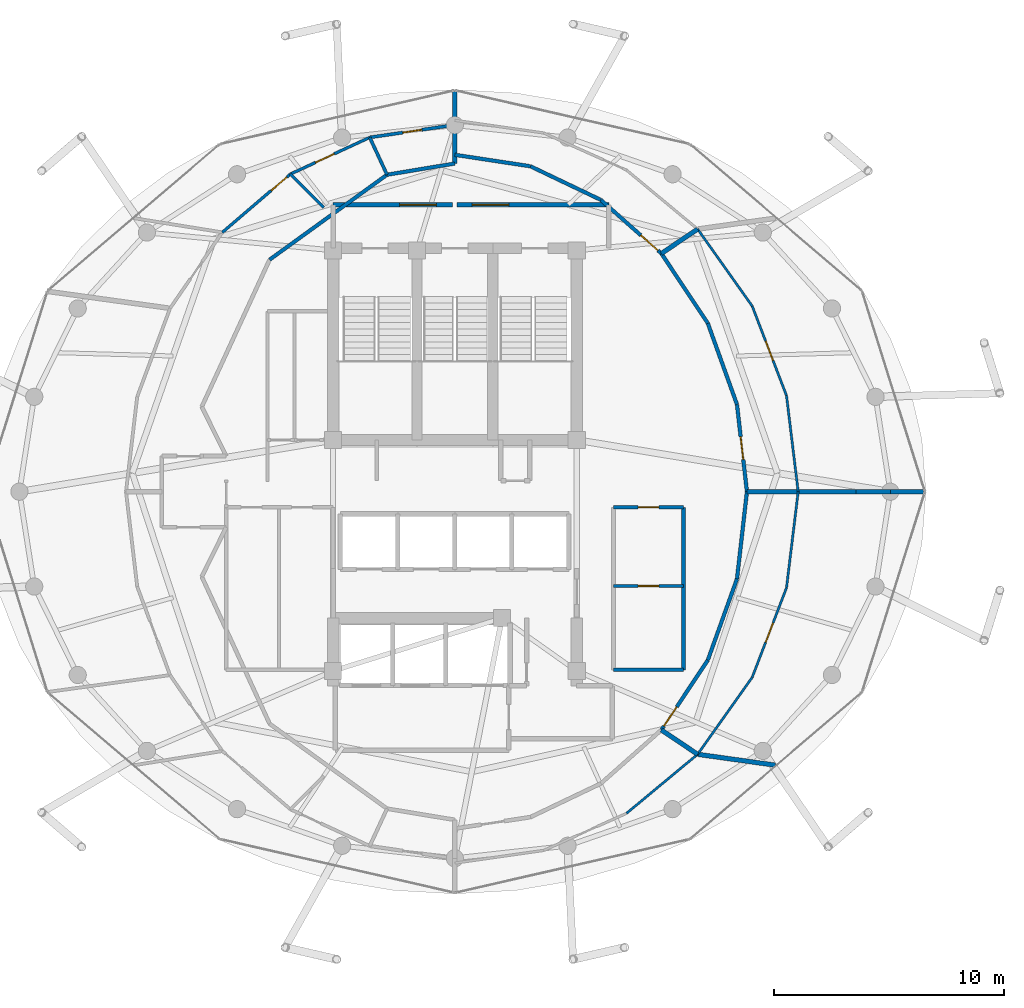
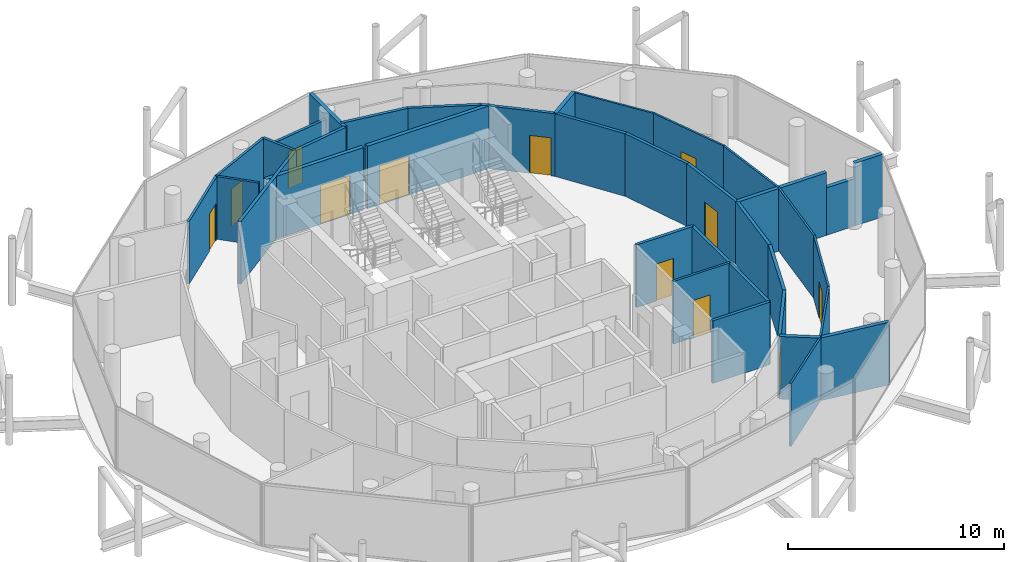
# One storey, part 22 of 24: 37 walls, 12 doors, 12 openings.
"""IFC4 building model written with IfcOpenShell, lengths in metres."""

from ifc_helpers import new_model, si_unit, direction, frame, frame_2d, origin, place, context, subcontext, project, spatial, rectangle, extrude, material, layer, layer_set, type_object, element, fill, save


model = new_model("IFC4")

# Units and contexts
model_context = context("Model", 3, precision=1e-05, world=origin(), true_north=direction((0.0, 1.0)))
body_context = subcontext(model_context, "Body", "Model", "MODEL_VIEW")
ifc_project = project(units=[si_unit("LENGTHUNIT", "METRE"), si_unit("AREAUNIT", "SQUARE_METRE"), si_unit("VOLUMEUNIT", "CUBIC_METRE"), si_unit("PLANEANGLEUNIT", "RADIAN"), si_unit("MASSUNIT", "GRAM", prefix="KILO")], contexts=[model_context])

# Site, building, storey
site_placement = place(None, origin())
site = spatial("IfcSite", under=ifc_project, at=site_placement, CompositionType="ELEMENT")
building_placement = place(site_placement, origin())
building = spatial("IfcBuilding", under=site, at=building_placement, Name="Nuhasar Tower", CompositionType="ELEMENT")
storey_placement = place(building_placement, frame((0.0, 0.0, 274.60009765625)))
storey = spatial("IfcBuildingStorey", under=building, at=storey_placement, Name="L68", CompositionType="ELEMENT", Elevation=274.60009765625)

# Walls
ifc_material_1 = material(Name="Gypsum Board", Category="gypsum")
ifc_layer_1 = layer(ifc_material_1, 0.159912109375)
ifc_layer_set_1 = layer_set([ifc_layer_1], Name="Gypsum Board")
wall_type_1 = type_object("IfcWallType", Name="WL-CORR-160", PredefinedType="PARTITIONING", material=ifc_layer_set_1)
wall_1_placement = place(storey_placement, frame((45.89990234375, 19.050048828125, 0.0), z_axis=(0.0, 0.0, 1.0), x_axis=(1.0, 0.0, 0.0)))
element("IfcWall", 1, at=wall_1_placement, inside=storey, type_object=wall_type_1, Name="L68 Interior Partition RECL-B2-S", PredefinedType="PARTITIONING", context=body_context, shape_type="SweptSolid", body=[
    extrude(rectangle(XDim=3.050048828125, YDim=0.159912109375, at=frame_2d((1.52490234375, 0.0))), origin(), (0.0, 0.0, 1.0), 3.539794921875),
])
wall_2_placement = place(storey_placement, frame((48.949951171875, 19.050048828125, 0.0), z_axis=(0.0, 0.0, 1.0), x_axis=(0.0, 1.0, 0.0)))
element("IfcWall", 2, at=wall_2_placement, inside=storey, type_object=wall_type_1, Name="L68 Interior Partition RECL-B2-E", PredefinedType="PARTITIONING", context=body_context, shape_type="SweptSolid", body=[
    extrude(rectangle(XDim=7.070068359375, YDim=0.159912109375, at=frame_2d((3.53515625, 0.0))), origin(), (0.0, 0.0, 1.0), 3.539794921875),
])

# Wall, opening, door
wall_3_placement = place(storey_placement, frame((48.949951171875, 26.1201171875, 0.0), z_axis=(0.0, 0.0, 1.0), x_axis=(-1.0, 0.0, 0.0)))
wall_3 = element("IfcWall", 3, at=wall_3_placement, inside=storey, type_object=wall_type_1, Name="L68 Interior Partition RECL-B2-N", PredefinedType="PARTITIONING", context=body_context, shape_type="SweptSolid", body=[
    extrude(rectangle(XDim=3.050048828125, YDim=0.159912109375, at=frame_2d((1.52490234375, 0.0))), origin(), (0.0, 0.0, 1.0), 3.539794921875),
])
opening_1_placement = place(wall_3_placement, frame((1.074951171875, 0.0, 0.0)))
opening_1 = element("IfcOpeningElement", 4, at=opening_1_placement, cuts=wall_3, Name="Opening DR-01", PredefinedType="OPENING", context=body_context, shape_type="SweptSolid", body=[
    extrude(rectangle(XDim=0.89990234375, YDim=2.10009765625, at=frame_2d((0.449951171875, 1.050048828125))), frame((0.0, 0.08984375, 0.0), z_axis=(0.0, -1.0, 0.0), x_axis=(1.0, 0.0, 0.0)), (0.0, 0.0, 1.0), 0.179931640625),
])
ifc_material_2 = material(Name="Timber Oak", Category="wood")
door_type_1 = type_object("IfcDoorType", Name="DR-ROOM-900", OperationType="NOTDEFINED", PredefinedType="DOOR", material=ifc_material_2)
door_1_placement = place(opening_1_placement, origin())
door_1 = element("IfcDoor", 5, at=door_1_placement, inside=storey, type_object=door_type_1, Name="L68 Utility Room Door", OperationType="SINGLE_SWING_LEFT", OverallHeight=2.10009765625, OverallWidth=0.89990234375, PredefinedType="DOOR", context=body_context, shape_type="SweptSolid", body=[
    extrude(rectangle(XDim=0.89990234375, YDim=2.10009765625, at=frame_2d((0.449951171875, 1.050048828125))), frame((0.0, 0.02490234375, 0.0), z_axis=(0.0, -1.0, 0.0), x_axis=(1.0, 0.0, 0.0)), (0.0, 0.0, 1.0), 0.050048828125),
])
fill(opening_1, door_1)

wall_4_placement = place(storey_placement, frame((50.007080078125, 19.469970703125, 0.0), z_axis=(0.0, 0.0, 1.0), x_axis=(-0.553958357067, -0.832544376376, 0.0)))
wall_4 = element("IfcWall", 6, at=wall_4_placement, inside=storey, type_object=wall_type_1, Name="L68 Interior Partition CORR-42", PredefinedType="PARTITIONING", context=body_context, shape_type="SweptSolid", body=[
    extrude(rectangle(XDim=3.646484375, YDim=0.159912109375, at=frame_2d((1.8232421875, 0.0))), origin(), (0.0, 0.0, 1.0), 3.539794921875),
])
opening_2_placement = place(wall_4_placement, frame((2.447021484375, 0.0, 0.0)))
opening_2 = element("IfcOpeningElement", 7, at=opening_2_placement, cuts=wall_4, Name="Opening DU-02", PredefinedType="OPENING", context=body_context, shape_type="SweptSolid", body=[
    extrude(rectangle(XDim=1.0, YDim=2.14990234375, at=frame_2d((0.5, 1.074951171875))), frame((0.0, 0.08984375, 0.0), z_axis=(0.0, -1.0, 0.0), x_axis=(1.0, 0.0, 0.0)), (0.0, 0.0, 1.0), 0.179931640625),
])
door_type_2 = type_object("IfcDoorType", Name="DR-FLAT-FD60-1000", OperationType="NOTDEFINED", PredefinedType="DOOR", material=ifc_material_2)
door_2_placement = place(opening_2_placement, origin())
door_2 = element("IfcDoor", 8, at=door_2_placement, inside=storey, type_object=door_type_2, Name="L68 Family Secretariat Office 2 Entrance Door", OperationType="SINGLE_SWING_RIGHT", OverallHeight=2.14990234375, OverallWidth=1.0, PredefinedType="DOOR", context=body_context, shape_type="SweptSolid", body=[
    extrude(rectangle(XDim=1.0, YDim=2.14990234375, at=frame_2d((0.5, 1.074951171875))), frame((0.0, 0.02490234375, 0.0), z_axis=(0.0, -1.0, 0.0), x_axis=(1.0, 0.0, 0.0)), (0.0, 0.0, 1.0), 0.050048828125),
])
fill(opening_2, door_2)

# Walls
wall_5_placement = place(storey_placement, frame((50.007080078125, 19.469970703125, 0.0), z_axis=(0.0, 0.0, 1.0), x_axis=(0.338015292257, 0.941140617655, 0.0)))
element("IfcWall", 9, at=wall_5_placement, inside=storey, type_object=wall_type_1, Name="L68 Interior Partition CORR-44", PredefinedType="PARTITIONING", context=body_context, shape_type="SweptSolid", body=[
    extrude(rectangle(XDim=3.75732421875, YDim=0.159912109375, at=frame_2d((1.878662109375, 0.0))), origin(), (0.0, 0.0, 1.0), 3.539794921875),
])
wall_6_placement = place(storey_placement, frame((51.277099609375, 23.006103515625, 0.0), z_axis=(0.0, 0.0, 1.0), x_axis=(0.113357256171, 0.993554292665, 0.0)))
element("IfcWall", 10, at=wall_6_placement, inside=storey, type_object=wall_type_1, Name="L68 Interior Partition CORR-46", PredefinedType="PARTITIONING", context=body_context, shape_type="SweptSolid", body=[
    extrude(rectangle(XDim=3.818603515625, YDim=0.159912109375, at=frame_2d((1.9091796875, 0.0))), origin(), (0.0, 0.0, 1.0), 3.539794921875),
])

# Wall, opening, door
wall_7_placement = place(storey_placement, frame((51.277099609375, 30.593994140625, 0.0), z_axis=(0.0, 0.0, 1.0), x_axis=(0.113357256171, -0.993554292665, 0.0)))
wall_7 = element("IfcWall", 11, at=wall_7_placement, inside=storey, type_object=wall_type_1, Name="L68 Interior Partition CORR-00", PredefinedType="PARTITIONING", context=body_context, shape_type="SweptSolid", body=[
    extrude(rectangle(XDim=3.818603515625, YDim=0.159912109375, at=frame_2d((1.9091796875, 0.0))), origin(), (0.0, 0.0, 1.0), 3.539794921875),
])
opening_3_placement = place(wall_7_placement, frame((1.408935546875, 0.0, 0.0)))
opening_3 = element("IfcOpeningElement", 12, at=opening_3_placement, cuts=wall_7, Name="Opening DU-02", PredefinedType="OPENING", context=body_context, shape_type="SweptSolid", body=[
    extrude(rectangle(XDim=1.0, YDim=2.14990234375, at=frame_2d((0.5, 1.074951171875))), frame((0.0, 0.08984375, 0.0), z_axis=(0.0, -1.0, 0.0), x_axis=(1.0, 0.0, 0.0)), (0.0, 0.0, 1.0), 0.179931640625),
])
door_3_placement = place(opening_3_placement, origin())
door_3 = element("IfcDoor", 13, at=door_3_placement, inside=storey, type_object=door_type_2, Name="L68 Investment Desk Office 3 Entrance Door", OperationType="SINGLE_SWING_RIGHT", OverallHeight=2.14990234375, OverallWidth=1.0, PredefinedType="DOOR", context=body_context, shape_type="SweptSolid", body=[
    extrude(rectangle(XDim=1.0, YDim=2.14990234375, at=frame_2d((0.5, 1.074951171875))), frame((0.0, 0.02490234375, 0.0), z_axis=(0.0, -1.0, 0.0), x_axis=(1.0, 0.0, 0.0)), (0.0, 0.0, 1.0), 0.050048828125),
])
fill(opening_3, door_3)

# Walls
wall_8_placement = place(storey_placement, frame((51.277099609375, 30.593994140625, 0.0), z_axis=(0.0, 0.0, 1.0), x_axis=(-0.338035964219, 0.941133192962, 0.0)))
element("IfcWall", 14, at=wall_8_placement, inside=storey, type_object=wall_type_1, Name="L68 Interior Partition CORR-02", PredefinedType="PARTITIONING", context=body_context, shape_type="SweptSolid", body=[
    extrude(rectangle(XDim=3.757080078125, YDim=0.159912109375, at=frame_2d((1.87841796875, 0.0))), origin(), (0.0, 0.0, 1.0), 3.539794921875),
])
wall_9_placement = place(storey_placement, frame((50.007080078125, 34.1298828125, 0.0), z_axis=(0.0, 0.0, 1.0), x_axis=(-0.553927480624, 0.832564920117, 0.0)))
element("IfcWall", 15, at=wall_9_placement, inside=storey, type_object=wall_type_1, Name="L68 Interior Partition CORR-04", PredefinedType="PARTITIONING", context=body_context, shape_type="SweptSolid", body=[
    extrude(rectangle(XDim=3.646728515625, YDim=0.159912109375, at=frame_2d((1.8232421875, 0.0))), origin(), (0.0, 0.0, 1.0), 3.539794921875),
])

# Wall, opening, door
wall_10_placement = place(storey_placement, frame((45.35498046875, 39.49609375, 0.0), z_axis=(0.0, 0.0, 1.0), x_axis=(0.748756574311, -0.662845074226, 0.0)))
wall_10 = element("IfcWall", 16, at=wall_10_placement, inside=storey, type_object=wall_type_1, Name="L68 Interior Partition CORR-06", PredefinedType="PARTITIONING", context=body_context, shape_type="SweptSolid", body=[
    extrude(rectangle(XDim=3.515380859375, YDim=0.159912109375, at=frame_2d((1.7578125, 0.0))), origin(), (0.0, 0.0, 1.0), 3.539794921875),
])
opening_4_placement = place(wall_10_placement, frame((2.31494140625, 0.0, 0.0)))
opening_4 = element("IfcOpeningElement", 17, at=opening_4_placement, cuts=wall_10, Name="Opening DU-02", PredefinedType="OPENING", context=body_context, shape_type="SweptSolid", body=[
    extrude(rectangle(XDim=1.0, YDim=2.14990234375, at=frame_2d((0.5, 1.074951171875))), frame((0.0, 0.08984375, 0.0), z_axis=(0.0, -1.0, 0.0), x_axis=(1.0, 0.0, 0.0)), (0.0, 0.0, 1.0), 0.179931640625),
])
door_4_placement = place(opening_4_placement, origin())
door_4 = element("IfcDoor", 18, at=door_4_placement, inside=storey, type_object=door_type_2, Name="L68 Diplomatic Briefing Room Entrance Door", OperationType="SINGLE_SWING_RIGHT", OverallHeight=2.14990234375, OverallWidth=1.0, PredefinedType="DOOR", context=body_context, shape_type="SweptSolid", body=[
    extrude(rectangle(XDim=1.0, YDim=2.14990234375, at=frame_2d((0.5, 1.074951171875))), frame((0.0, 0.02490234375, 0.0), z_axis=(0.0, -1.0, 0.0), x_axis=(1.0, 0.0, 0.0)), (0.0, 0.0, 1.0), 0.050048828125),
])
fill(opening_4, door_4)

# Walls
wall_11_placement = place(storey_placement, frame((45.35498046875, 39.49609375, 0.0), z_axis=(0.0, 0.0, 1.0), x_axis=(-0.902360348414, 0.430982368097, 0.0)))
element("IfcWall", 19, at=wall_11_placement, inside=storey, type_object=wall_type_1, Name="L68 Interior Partition CORR-08", PredefinedType="PARTITIONING", context=body_context, shape_type="SweptSolid", body=[
    extrude(rectangle(XDim=3.396484375, YDim=0.159912109375, at=frame_2d((1.6982421875, 0.0))), origin(), (0.0, 0.0, 1.0), 3.539794921875),
])
wall_12_placement = place(storey_placement, frame((42.2900390625, 40.9599609375, 0.0), z_axis=(0.0, 0.0, 1.0), x_axis=(-0.988648231668, 0.150248707217, 0.0)))
element("IfcWall", 20, at=wall_12_placement, inside=storey, type_object=wall_type_1, Name="L68 Interior Partition CORR-10", PredefinedType="PARTITIONING", context=body_context, shape_type="SweptSolid", body=[
    extrude(rectangle(XDim=3.327880859375, YDim=0.159912109375, at=frame_2d((1.6640625, 0.0))), origin(), (0.0, 0.0, 1.0), 3.539794921875),
])
wall_13_placement = place(storey_placement, frame((39.0, 41.080078125, 0.0), z_axis=(0.0, 0.0, 1.0), x_axis=(-0.986650832406, -0.162850038111, 0.0)))
element("IfcWall", 21, at=wall_13_placement, inside=storey, type_object=wall_type_1, Name="L68 Interior Partition UWEST-CORE-N1-12", PredefinedType="PARTITIONING", context=body_context, shape_type="SweptSolid", body=[
    extrude(rectangle(XDim=2.990966796875, YDim=0.159912109375, at=frame_2d((1.49560546875, 0.0))), origin(), (0.0, 0.0, 1.0), 3.539794921875),
])
wall_14_placement = place(storey_placement, frame((36.049072265625, 40.593017578125, 0.0), z_axis=(0.0, 0.0, 1.0), x_axis=(-0.810271736342, -0.58605436035, 0.0)))
element("IfcWall", 22, at=wall_14_placement, inside=storey, type_object=wall_type_1, Name="L68 Interior Partition UWEST-CORE-N2-14", PredefinedType="PARTITIONING", context=body_context, shape_type="SweptSolid", body=[
    extrude(rectangle(XDim=6.306640625, YDim=0.159912109375, at=frame_2d((3.1533203125, 0.0))), origin(), (0.0, 0.0, 1.0), 3.539794921875),
])

# Wall, opening, door
ifc_material_3 = material(Name="Concrete C45/55", Category="concrete")
ifc_layer_2 = layer(ifc_material_3, 0.199951171875)
ifc_layer_set_2 = layer_set([ifc_layer_2], Name="Concrete C45/55")
wall_type_2 = type_object("IfcWallType", Name="WL-LOBBY-200", PredefinedType="SOLIDWALL", material=ifc_layer_set_2)
wall_15_placement = place(storey_placement, frame((38.89990234375, 39.280029296875, 0.0), z_axis=(0.0, 0.0, 1.0), x_axis=(-1.0, 0.0, 0.0)))
wall_15 = element("IfcWall", 23, at=wall_15_placement, inside=storey, type_object=wall_type_2, Name="L68 Interior Partition NSL-N1", PredefinedType="SOLIDWALL", context=body_context, shape_type="SweptSolid", body=[
    extrude(rectangle(XDim=5.199951171875, YDim=0.199951171875, at=frame_2d((2.60009765625, 0.0))), origin(), (0.0, 0.0, 1.0), 3.539794921875),
])
opening_5_placement = place(wall_15_placement, frame((0.7080078125, 0.0, 0.0)))
opening_5 = element("IfcOpeningElement", 24, at=opening_5_placement, cuts=wall_15, Name="Opening DC-01", PredefinedType="OPENING", context=body_context, shape_type="SweptSolid", body=[
    extrude(rectangle(XDim=1.60009765625, YDim=2.199951171875, at=frame_2d((0.800048828125, 1.10009765625))), frame((0.0, 0.10986328125, 0.0), z_axis=(0.0, -1.0, 0.0), x_axis=(1.0, 0.0, 0.0)), (0.0, 0.0, 1.0), 0.219970703125),
])
ifc_material_4 = material(Name="Steel S355", Category="steel")
door_type_3 = type_object("IfcDoorType", Name="DR-CORR-FD60-1600", OperationType="DOUBLE_DOOR_SINGLE_SWING", PredefinedType="DOOR", material=ifc_material_4)
door_5_placement = place(opening_5_placement, origin())
door_5 = element("IfcDoor", 25, at=door_5_placement, inside=storey, type_object=door_type_3, Name="L68 North Stair Lobby West Door", OperationType="DOUBLE_DOOR_SINGLE_SWING", OverallHeight=2.199951171875, OverallWidth=1.60009765625, PredefinedType="DOOR", context=body_context, shape_type="SweptSolid", body=[
    extrude(rectangle(XDim=1.60009765625, YDim=2.199951171875, at=frame_2d((0.800048828125, 1.10009765625))), frame((0.0, 0.02490234375, 0.0), z_axis=(0.0, -1.0, 0.0), x_axis=(1.0, 0.0, 0.0)), (0.0, 0.0, 1.0), 0.050048828125),
])
fill(opening_5, door_5)

wall_16_placement = place(storey_placement, frame((45.699951171875, 39.280029296875, 0.0), z_axis=(0.0, 0.0, 1.0), x_axis=(-1.0, 0.0, 0.0)))
wall_16 = element("IfcWall", 26, at=wall_16_placement, inside=storey, type_object=wall_type_2, Name="L68 Interior Partition NSL-N2", PredefinedType="SOLIDWALL", context=body_context, shape_type="SweptSolid", body=[
    extrude(rectangle(XDim=6.599853515625, YDim=0.199951171875, at=frame_2d((3.2998046875, 0.0))), origin(), (0.0, 0.0, 1.0), 3.539794921875),
])
opening_6_placement = place(wall_16_placement, frame((4.35009765625, 0.0, 0.0)))
opening_6 = element("IfcOpeningElement", 27, at=opening_6_placement, cuts=wall_16, Name="Opening DC-01", PredefinedType="OPENING", context=body_context, shape_type="SweptSolid", body=[
    extrude(rectangle(XDim=1.60009765625, YDim=2.199951171875, at=frame_2d((0.800048828125, 1.10009765625))), frame((0.0, 0.10986328125, 0.0), z_axis=(0.0, -1.0, 0.0), x_axis=(1.0, 0.0, 0.0)), (0.0, 0.0, 1.0), 0.219970703125),
])
door_6_placement = place(opening_6_placement, origin())
door_6 = element("IfcDoor", 28, at=door_6_placement, inside=storey, type_object=door_type_3, Name="L68 North Stair Lobby East Door", OperationType="DOUBLE_DOOR_SINGLE_SWING", OverallHeight=2.199951171875, OverallWidth=1.60009765625, PredefinedType="DOOR", context=body_context, shape_type="SweptSolid", body=[
    extrude(rectangle(XDim=1.60009765625, YDim=2.199951171875, at=frame_2d((0.800048828125, 1.10009765625))), frame((0.0, 0.02490234375, 0.0), z_axis=(0.0, -1.0, 0.0), x_axis=(1.0, 0.0, 0.0)), (0.0, 0.0, 1.0), 0.050048828125),
])
fill(opening_6, door_6)

# Walls
ifc_material_5 = material(Name="Aluminium 6063-T6", Category="aluminium")
ifc_layer_3 = layer(ifc_material_5, 0.10009765625)
ifc_layer_set_3 = layer_set([ifc_layer_3], Name="Aluminium 6063-T6")
wall_type_3 = type_object("IfcWallType", Name="WL-MOVABLE-100", PredefinedType="MOVABLE", material=ifc_layer_set_3)
wall_17_placement = place(storey_placement, frame((46.469970703125, 12.804931640625, 0.0), z_axis=(0.0, 0.0, 1.0), x_axis=(0.769468998704, 0.638684162974, 0.0)))
element("IfcWall", 29, at=wall_17_placement, inside=storey, type_object=wall_type_3, Name="L68 Interior Partition UMID5-01-40", PredefinedType="MOVABLE", context=body_context, shape_type="SweptSolid", body=[
    extrude(rectangle(XDim=4.02099609375, YDim=0.10009765625, at=frame_2d((2.010498046875, 0.0))), origin(), (0.0, 0.0, 1.0), 3.539794921875),
])
wall_18_placement = place(storey_placement, frame((49.56396484375, 15.373046875, 0.0), z_axis=(0.0, 0.0, 1.0), x_axis=(0.578550422028, 0.815646620278, 0.0)))
element("IfcWall", 30, at=wall_18_placement, inside=storey, type_object=wall_type_3, Name="L68 Interior Partition UMID5-02-42", PredefinedType="MOVABLE", context=body_context, shape_type="SweptSolid", body=[
    extrude(rectangle(XDim=4.103515625, YDim=0.10009765625, at=frame_2d((2.0517578125, 0.0))), origin(), (0.0, 0.0, 1.0), 3.539794921875),
])

# Wall, opening, door
wall_19_placement = place(storey_placement, frame((51.93798828125, 18.719970703125, 0.0), z_axis=(0.0, 0.0, 1.0), x_axis=(0.357743876103, 0.933819746584, 0.0)))
wall_19 = element("IfcWall", 31, at=wall_19_placement, inside=storey, type_object=wall_type_3, Name="L68 Interior Partition UMID5-02-44", PredefinedType="MOVABLE", context=body_context, shape_type="SweptSolid", body=[
    extrude(rectangle(XDim=4.173095703125, YDim=0.10009765625, at=frame_2d((2.08642578125, 0.0))), origin(), (0.0, 0.0, 1.0), 3.539794921875),
])
opening_7_placement = place(wall_19_placement, frame((1.636962890625, 0.0, 0.0)))
opening_7 = element("IfcOpeningElement", 32, at=opening_7_placement, cuts=wall_19, Name="Opening DR-01", PredefinedType="OPENING", context=body_context, shape_type="SweptSolid", body=[
    extrude(rectangle(XDim=0.89990234375, YDim=2.10009765625, at=frame_2d((0.449951171875, 1.050048828125))), frame((0.0, 0.06005859375, 0.0), z_axis=(0.0, -1.0, 0.0), x_axis=(1.0, 0.0, 0.0)), (0.0, 0.0, 1.0), 0.1201171875),
])
door_7_placement = place(opening_7_placement, origin())
door_7 = element("IfcDoor", 33, at=door_7_placement, inside=storey, type_object=door_type_1, Name="L68 Family Secretariat Office 2 Inner Door", OperationType="SINGLE_SWING_RIGHT", OverallHeight=2.10009765625, OverallWidth=0.89990234375, PredefinedType="DOOR", context=body_context, shape_type="SweptSolid", body=[
    extrude(rectangle(XDim=0.89990234375, YDim=2.10009765625, at=frame_2d((0.449951171875, 1.050048828125))), frame((0.0, 0.02490234375, 0.0), z_axis=(0.0, -1.0, 0.0), x_axis=(1.0, 0.0, 0.0)), (0.0, 0.0, 1.0), 0.050048828125),
])
fill(opening_7, door_7)

# Walls
wall_20_placement = place(storey_placement, frame((53.430908203125, 22.616943359375, 0.0), z_axis=(0.0, 0.0, 1.0), x_axis=(0.120796783092, 0.992677257317, 0.0)))
element("IfcWall", 34, at=wall_20_placement, inside=storey, type_object=wall_type_3, Name="L68 Interior Partition UMID5-02-46", PredefinedType="MOVABLE", context=body_context, shape_type="SweptSolid", body=[
    extrude(rectangle(XDim=4.2138671875, YDim=0.10009765625, at=frame_2d((2.10693359375, 0.0))), origin(), (0.0, 0.0, 1.0), 3.539794921875),
])
wall_21_placement = place(storey_placement, frame((53.93994140625, 26.800048828125, 0.0), z_axis=(0.0, 0.0, 1.0), x_axis=(-0.120803730736, 0.992676411848, 0.0)))
element("IfcWall", 35, at=wall_21_placement, inside=storey, type_object=wall_type_3, Name="L68 Interior Partition UMID5-03-00", PredefinedType="MOVABLE", context=body_context, shape_type="SweptSolid", body=[
    extrude(rectangle(XDim=4.213623046875, YDim=0.10009765625, at=frame_2d((2.10693359375, 0.0))), origin(), (0.0, 0.0, 1.0), 3.539794921875),
])

# Wall, opening, door
wall_22_placement = place(storey_placement, frame((53.430908203125, 30.98291015625, 0.0), z_axis=(0.0, 0.0, 1.0), x_axis=(-0.357743876103, 0.933819746584, 0.0)))
wall_22 = element("IfcWall", 36, at=wall_22_placement, inside=storey, type_object=wall_type_3, Name="L68 Interior Partition UMID5-03-02", PredefinedType="MOVABLE", context=body_context, shape_type="SweptSolid", body=[
    extrude(rectangle(XDim=4.173095703125, YDim=0.10009765625, at=frame_2d((2.08642578125, 0.0))), origin(), (0.0, 0.0, 1.0), 3.539794921875),
])
opening_8_placement = place(wall_22_placement, frame((1.636962890625, 0.0, 0.0)))
opening_8 = element("IfcOpeningElement", 37, at=opening_8_placement, cuts=wall_22, Name="Opening DR-01", PredefinedType="OPENING", context=body_context, shape_type="SweptSolid", body=[
    extrude(rectangle(XDim=0.89990234375, YDim=2.10009765625, at=frame_2d((0.449951171875, 1.050048828125))), frame((0.0, 0.06005859375, 0.0), z_axis=(0.0, -1.0, 0.0), x_axis=(1.0, 0.0, 0.0)), (0.0, 0.0, 1.0), 0.1201171875),
])
door_8_placement = place(opening_8_placement, origin())
door_8 = element("IfcDoor", 38, at=door_8_placement, inside=storey, type_object=door_type_1, Name="L68 Investment Desk Office 3 Inner Door", OperationType="SINGLE_SWING_LEFT", OverallHeight=2.10009765625, OverallWidth=0.89990234375, PredefinedType="DOOR", context=body_context, shape_type="SweptSolid", body=[
    extrude(rectangle(XDim=0.89990234375, YDim=2.10009765625, at=frame_2d((0.449951171875, 1.050048828125))), frame((0.0, 0.02490234375, 0.0), z_axis=(0.0, -1.0, 0.0), x_axis=(1.0, 0.0, 0.0)), (0.0, 0.0, 1.0), 0.050048828125),
])
fill(opening_8, door_8)

# Wall
wall_23_placement = place(storey_placement, frame((51.93798828125, 34.8798828125, 0.0), z_axis=(0.0, 0.0, 1.0), x_axis=(-0.578522346771, 0.815666533754, 0.0)))
element("IfcWall", 39, at=wall_23_placement, inside=storey, type_object=wall_type_3, Name="L68 Interior Partition UMID5-03-04", PredefinedType="MOVABLE", context=body_context, shape_type="SweptSolid", body=[
    extrude(rectangle(XDim=4.103515625, YDim=0.10009765625, at=frame_2d((2.0517578125, 0.0))), origin(), (0.0, 0.0, 1.0), 3.539794921875),
])

# Wall, opening, door
ifc_layer_4 = layer(ifc_material_1, 0.125)
ifc_layer_set_4 = layer_set([ifc_layer_4], Name="Gypsum Board")
wall_type_4 = type_object("IfcWallType", Name="WL-PART-125", PredefinedType="PARTITIONING", material=ifc_layer_set_4)
wall_24_placement = place(storey_placement, frame((48.949951171875, 22.699951171875, 0.0), z_axis=(0.0, 0.0, 1.0), x_axis=(-1.0, 0.0, 0.0)))
wall_24 = element("IfcWall", 40, at=wall_24_placement, inside=storey, type_object=wall_type_4, Name="L68 Interior Partition RECL-B2-M", PredefinedType="PARTITIONING", context=body_context, shape_type="SweptSolid", body=[
    extrude(rectangle(XDim=3.050048828125, YDim=0.125, at=frame_2d((1.52490234375, 0.0))), origin(), (0.0, 0.0, 1.0), 3.539794921875),
])
opening_9_placement = place(wall_24_placement, frame((1.074951171875, 0.0, 0.0)))
opening_9 = element("IfcOpeningElement", 41, at=opening_9_placement, cuts=wall_24, Name="Opening DR-01", PredefinedType="OPENING", context=body_context, shape_type="SweptSolid", body=[
    extrude(rectangle(XDim=0.89990234375, YDim=2.10009765625, at=frame_2d((0.449951171875, 1.050048828125))), frame((0.0, 0.072509765625, 0.0), z_axis=(0.0, -1.0, 0.0), x_axis=(1.0, 0.0, 0.0)), (0.0, 0.0, 1.0), 0.14501953125),
])
door_9_placement = place(opening_9_placement, origin())
door_9 = element("IfcDoor", 42, at=door_9_placement, inside=storey, type_object=door_type_1, Name="L68 Inner Vault Door", OperationType="SINGLE_SWING_RIGHT", OverallHeight=2.10009765625, OverallWidth=0.89990234375, PredefinedType="DOOR", context=body_context, shape_type="SweptSolid", body=[
    extrude(rectangle(XDim=0.89990234375, YDim=2.10009765625, at=frame_2d((0.449951171875, 1.050048828125))), frame((0.0, 0.02490234375, 0.0), z_axis=(0.0, -1.0, 0.0), x_axis=(1.0, 0.0, 0.0)), (0.0, 0.0, 1.0), 0.050048828125),
])
fill(opening_9, door_9)

# Wall
wall_25_placement = place(storey_placement, frame((33.300048828125, 39.1669921875, 0.0), z_axis=(0.0, 0.0, 1.0), x_axis=(-0.707106781187, 0.707106781187, 0.0)))
element("IfcWall", 43, at=wall_25_placement, inside=storey, type_object=wall_type_4, Name="L68 Interior Partition USI-1-KD", PredefinedType="PARTITIONING", context=body_context, shape_type="SweptSolid", body=[
    extrude(rectangle(XDim=2.057861328125, YDim=0.125, at=frame_2d((1.02880859375, 0.0))), origin(), (0.0, 0.0, 1.0), 3.539794921875),
])

# Wall, opening, door
wall_26_placement = place(storey_placement, frame((31.844970703125, 40.6220703125, 0.0), z_axis=(0.0, 0.0, 1.0), x_axis=(0.907833398029, 0.419331040377, 0.0)))
wall_26 = element("IfcWall", 44, at=wall_26_placement, inside=storey, type_object=wall_type_4, Name="L68 Interior Partition USM-1-K-14", PredefinedType="PARTITIONING", context=body_context, shape_type="SweptSolid", body=[
    extrude(rectangle(XDim=3.80126953125, YDim=0.125, at=frame_2d((1.900634765625, 0.0))), origin(), (0.0, 0.0, 1.0), 3.539794921875),
])
opening_10_placement = place(wall_26_placement, frame((1.199951171875, 0.0, 0.0)))
opening_10 = element("IfcOpeningElement", 45, at=opening_10_placement, cuts=wall_26, Name="Opening DR-01", PredefinedType="OPENING", context=body_context, shape_type="SweptSolid", body=[
    extrude(rectangle(XDim=0.89990234375, YDim=2.10009765625, at=frame_2d((0.449951171875, 1.050048828125))), frame((0.0, 0.072509765625, 0.0), z_axis=(0.0, -1.0, 0.0), x_axis=(1.0, 0.0, 0.0)), (0.0, 0.0, 1.0), 0.14501953125),
])
door_10_placement = place(opening_10_placement, origin())
door_10 = element("IfcDoor", 46, at=door_10_placement, inside=storey, type_object=door_type_1, Name="L68 North-West Sky Home Kitchen Door", OperationType="SINGLE_SWING_LEFT", OverallHeight=2.10009765625, OverallWidth=0.89990234375, PredefinedType="DOOR", context=body_context, shape_type="SweptSolid", body=[
    extrude(rectangle(XDim=0.89990234375, YDim=2.10009765625, at=frame_2d((0.449951171875, 1.050048828125))), frame((0.0, 0.02490234375, 0.0), z_axis=(0.0, -1.0, 0.0), x_axis=(1.0, 0.0, 0.0)), (0.0, 0.0, 1.0), 0.050048828125),
])
fill(opening_10, door_10)

wall_27_placement = place(storey_placement, frame((28.881103515625, 38.0849609375, 0.0), z_axis=(0.0, 0.0, 1.0), x_axis=(0.759680489992, 0.650296511697, 0.0)))
wall_27 = element("IfcWall", 47, at=wall_27_placement, inside=storey, type_object=wall_type_4, Name="L68 Interior Partition USM-1-D-16", PredefinedType="PARTITIONING", context=body_context, shape_type="SweptSolid", body=[
    extrude(rectangle(XDim=3.9013671875, YDim=0.125, at=frame_2d((1.95068359375, 0.0))), origin(), (0.0, 0.0, 1.0), 3.539794921875),
])
opening_11_placement = place(wall_27_placement, frame((2.801025390625, 0.0, 0.0)))
opening_11 = element("IfcOpeningElement", 48, at=opening_11_placement, cuts=wall_27, Name="Opening DR-01", PredefinedType="OPENING", context=body_context, shape_type="SweptSolid", body=[
    extrude(rectangle(XDim=0.89990234375, YDim=2.10009765625, at=frame_2d((0.449951171875, 1.050048828125))), frame((0.0, 0.072509765625, 0.0), z_axis=(0.0, -1.0, 0.0), x_axis=(1.0, 0.0, 0.0)), (0.0, 0.0, 1.0), 0.14501953125),
])
door_11_placement = place(opening_11_placement, origin())
door_11 = element("IfcDoor", 49, at=door_11_placement, inside=storey, type_object=door_type_1, Name="L68 North-West Sky Home Master Bedroom Door", OperationType="SINGLE_SWING_RIGHT", OverallHeight=2.10009765625, OverallWidth=0.89990234375, PredefinedType="DOOR", context=body_context, shape_type="SweptSolid", body=[
    extrude(rectangle(XDim=0.89990234375, YDim=2.10009765625, at=frame_2d((0.449951171875, 1.050048828125))), frame((0.0, 0.02490234375, 0.0), z_axis=(0.0, -1.0, 0.0), x_axis=(1.0, 0.0, 0.0)), (0.0, 0.0, 1.0), 0.050048828125),
])
fill(opening_11, door_11)

# Walls
ifc_material_6 = material(Name="Concrete C40/50 precast", Category="concrete")
ifc_layer_5 = layer(ifc_material_6, 0.199951171875)
ifc_layer_set_5 = layer_set([ifc_layer_5], Name="Concrete C40/50 precast")
wall_type_5 = type_object("IfcWallType", Name="WL-UNIT-200", PredefinedType="PARTITIONING", material=ifc_layer_set_5)
wall_28_placement = place(storey_placement, frame((39.0, 41.080078125, 0.0), z_axis=(0.0, 0.0, 1.0), x_axis=(0.0, 1.0, 0.0)))
element("IfcWall", 50, at=wall_28_placement, inside=storey, type_object=wall_type_5, Name="L68 Interior Partition URAD-12-NW", PredefinedType="PARTITIONING", context=body_context, shape_type="SweptSolid", body=[
    extrude(rectangle(XDim=3.14501953125, YDim=0.199951171875, at=frame_2d((1.572509765625, 0.0))), origin(), (0.0, 0.0, 1.0), 3.539794921875),
])
wall_29_placement = place(storey_placement, frame((47.987060546875, 16.43408203125, 0.0), z_axis=(0.0, 0.0, 1.0), x_axis=(0.829671269714, -0.558252258581, 0.0)))
element("IfcWall", 51, at=wall_29_placement, inside=storey, type_object=wall_type_5, Name="L68 Interior Partition URAD5-42-S1", PredefinedType="PARTITIONING", context=body_context, shape_type="SweptSolid", body=[
    extrude(rectangle(XDim=1.900634765625, YDim=0.199951171875, at=frame_2d((0.9501953125, 0.0))), origin(), (0.0, 0.0, 1.0), 3.539794921875),
])
wall_30_placement = place(storey_placement, frame((49.56396484375, 15.373046875, 0.0), z_axis=(0.0, 0.0, 1.0), x_axis=(0.99034390299, -0.138632441405, 0.0)))
element("IfcWall", 52, at=wall_30_placement, inside=storey, type_object=wall_type_5, Name="L68 Interior Partition URAD5-42-S2", PredefinedType="PARTITIONING", context=body_context, shape_type="SweptSolid", body=[
    extrude(rectangle(XDim=3.419921875, YDim=0.199951171875, at=frame_2d((1.7099609375, 0.0))), origin(), (0.0, 0.0, 1.0), 3.539794921875),
])
wall_31_placement = place(storey_placement, frame((51.7099609375, 26.800048828125, 0.0), z_axis=(0.0, 0.0, 1.0), x_axis=(1.0, 0.0, 0.0)))
element("IfcWall", 53, at=wall_31_placement, inside=storey, type_object=wall_type_5, Name="L68 Interior Partition URAD5-00-S1", PredefinedType="PARTITIONING", context=body_context, shape_type="SweptSolid", body=[
    extrude(rectangle(XDim=2.22998046875, YDim=0.199951171875, at=frame_2d((1.114990234375, 0.0))), origin(), (0.0, 0.0, 1.0), 3.539794921875),
])
wall_32_placement = place(storey_placement, frame((53.93994140625, 26.800048828125, 0.0), z_axis=(0.0, 0.0, 1.0), x_axis=(1.0, 0.0, 0.0)))
element("IfcWall", 54, at=wall_32_placement, inside=storey, type_object=wall_type_5, Name="L68 Interior Partition URAD5-00-S2", PredefinedType="PARTITIONING", context=body_context, shape_type="SweptSolid", body=[
    extrude(rectangle(XDim=2.506103515625, YDim=0.199951171875, at=frame_2d((1.2529296875, 0.0))), origin(), (0.0, 0.0, 1.0), 3.539794921875),
])
wall_33_placement = place(storey_placement, frame((56.446044921875, 26.800048828125, 0.0), z_axis=(0.0, 0.0, 1.0), x_axis=(1.0, 0.0, 0.0)))
element("IfcWall", 55, at=wall_33_placement, inside=storey, type_object=wall_type_5, Name="L68 Interior Partition URAD5-00-S2", PredefinedType="PARTITIONING", context=body_context, shape_type="SweptSolid", body=[
    extrude(rectangle(XDim=1.52001953125, YDim=0.199951171875, at=frame_2d((0.760009765625, 0.0))), origin(), (0.0, 0.0, 1.0), 2.679931640625),
])
wall_34_placement = place(storey_placement, frame((57.966064453125, 26.800048828125, 0.0), z_axis=(0.0, 0.0, 1.0), x_axis=(1.0, 0.0, 0.0)))
element("IfcWall", 56, at=wall_34_placement, inside=storey, type_object=wall_type_5, Name="L68 Interior Partition URAD5-00-S2", PredefinedType="PARTITIONING", context=body_context, shape_type="SweptSolid", body=[
    extrude(rectangle(XDim=1.458984375, YDim=0.199951171875, at=frame_2d((0.7294921875, 0.0))), origin(), (0.0, 0.0, 1.0), 3.539794921875),
])
wall_35_placement = place(storey_placement, frame((47.987060546875, 37.166015625, 0.0), z_axis=(0.0, 0.0, 1.0), x_axis=(0.829671269714, 0.558252258581, 0.0)))
element("IfcWall", 57, at=wall_35_placement, inside=storey, type_object=wall_type_5, Name="L68 Interior Partition URAD5-06-S1", PredefinedType="PARTITIONING", context=body_context, shape_type="SweptSolid", body=[
    extrude(rectangle(XDim=1.900634765625, YDim=0.199951171875, at=frame_2d((0.9501953125, 0.0))), origin(), (0.0, 0.0, 1.0), 3.539794921875),
])
ifc_layer_6 = layer(ifc_material_6, 0.139892578125)
ifc_layer_set_6 = layer_set([ifc_layer_6], Name="Concrete C40/50 precast")
wall_type_6 = type_object("IfcWallType", Name="WL-WET-140", PredefinedType="PARTITIONING", material=ifc_layer_set_6)
wall_36_placement = place(storey_placement, frame((36.049072265625, 40.593017578125, 0.0), z_axis=(0.0, 0.0, 1.0), x_axis=(-0.420934907021, 0.907090846636, 0.0)))
element("IfcWall", 58, at=wall_36_placement, inside=storey, type_object=wall_type_6, Name="L68 Interior Partition USI-1-BK", PredefinedType="PARTITIONING", context=body_context, shape_type="SweptSolid", body=[
    extrude(rectangle(XDim=1.789306640625, YDim=0.139892578125, at=frame_2d((0.89453125, 0.0))), origin(), (0.0, 0.0, 1.0), 3.539794921875),
])

# Wall, opening, door
wall_37_placement = place(storey_placement, frame((35.2958984375, 42.216064453125, 0.0), z_axis=(0.0, 0.0, 1.0), x_axis=(0.989388931872, 0.145291229911, 0.0)))
wall_37 = element("IfcWall", 59, at=wall_37_placement, inside=storey, type_object=wall_type_6, Name="L68 Interior Partition USM-1-B-12", PredefinedType="PARTITIONING", context=body_context, shape_type="SweptSolid", body=[
    extrude(rectangle(XDim=3.743896484375, YDim=0.139892578125, at=frame_2d((1.8720703125, 0.0))), origin(), (0.0, 0.0, 1.0), 3.0),
])
opening_12_placement = place(wall_37_placement, frame((1.447021484375, 0.0, 0.0)))
opening_12 = element("IfcOpeningElement", 60, at=opening_12_placement, cuts=wall_37, Name="Opening DB-01", PredefinedType="OPENING", context=body_context, shape_type="SweptSolid", body=[
    extrude(rectangle(XDim=0.85009765625, YDim=2.10009765625, at=frame_2d((0.425048828125, 1.050048828125))), frame((0.0, 0.080078125, 0.0), z_axis=(0.0, -1.0, 0.0), x_axis=(1.0, 0.0, 0.0)), (0.0, 0.0, 1.0), 0.159912109375),
])
door_type_4 = type_object("IfcDoorType", Name="DR-BATH-850", OperationType="NOTDEFINED", PredefinedType="DOOR", material=ifc_material_2)
door_12_placement = place(opening_12_placement, origin())
door_12 = element("IfcDoor", 61, at=door_12_placement, inside=storey, type_object=door_type_4, Name="L68 North-West Sky Home En-Suite Door", OperationType="SINGLE_SWING_LEFT", OverallHeight=2.10009765625, OverallWidth=0.85009765625, PredefinedType="DOOR", context=body_context, shape_type="SweptSolid", body=[
    extrude(rectangle(XDim=0.85009765625, YDim=2.10009765625, at=frame_2d((0.425048828125, 1.050048828125))), frame((0.0, 0.02490234375, 0.0), z_axis=(0.0, -1.0, 0.0), x_axis=(1.0, 0.0, 0.0)), (0.0, 0.0, 1.0), 0.050048828125),
])
fill(opening_12, door_12)

save(model, "model.ifc")
